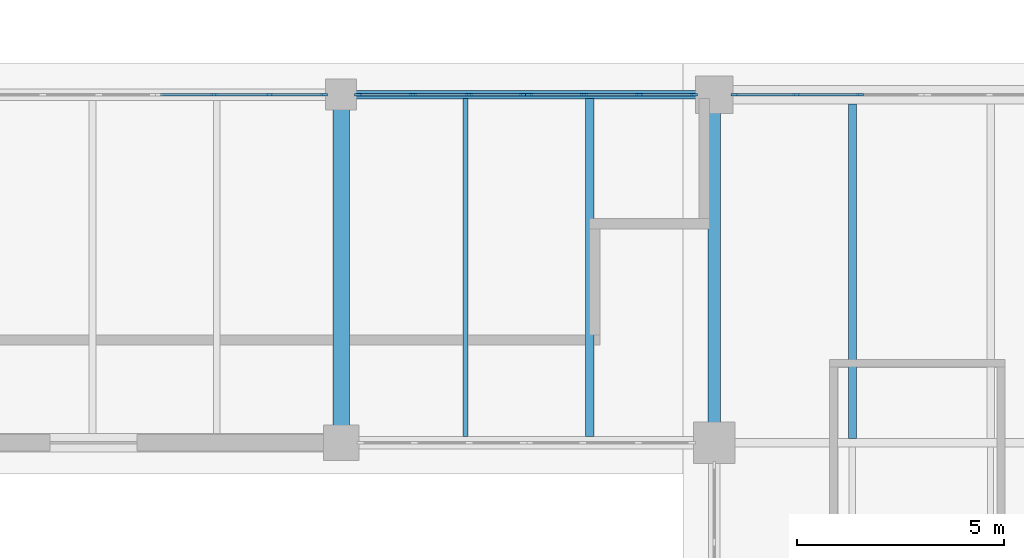
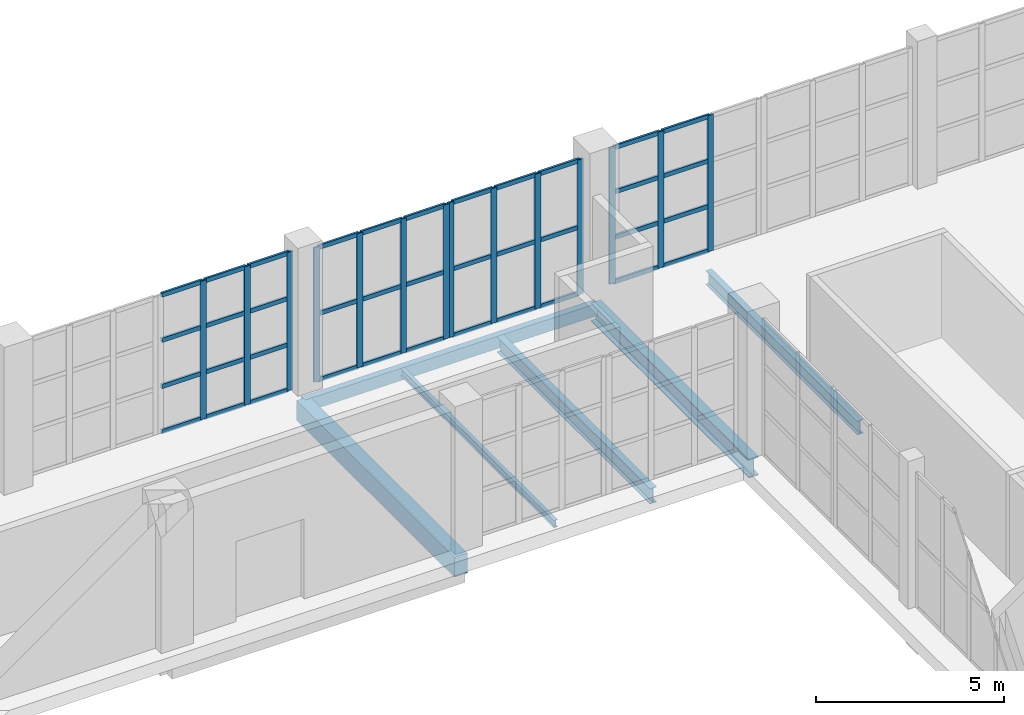
# One storey, part 57 of 121: 52 members, 6 beams, 4 elements without a shape of their own.
"""IFC4 building model written with IfcOpenShell, lengths in metres."""

from ifc_helpers import new_model, si_unit, direction, frame, origin, origin_2d, place, context, subcontext, project, spatial, rectangle, hollow_rectangle, i_section, extrude, material, layer, layer_set, material_profile, profile_set, type_object, element, aggregate, save


model = new_model("IFC4")

# Units and contexts
model_context = context("Model", 3, precision=1e-05, world=origin(), true_north=direction((0.0, 1.0)))
body_context = subcontext(model_context, "Body", "Model", "MODEL_VIEW")
ifc_project = project(units=[si_unit("LENGTHUNIT", "METRE"), si_unit("AREAUNIT", "SQUARE_METRE"), si_unit("VOLUMEUNIT", "CUBIC_METRE"), si_unit("PLANEANGLEUNIT", "RADIAN"), si_unit("MASSUNIT", "GRAM", prefix="KILO")], contexts=[model_context])

# Site, building, storey
site_placement = place(None, origin())
site = spatial("IfcSite", under=ifc_project, at=site_placement, CompositionType="ELEMENT")
building_placement = place(site_placement, origin())
building = spatial("IfcBuilding", under=site, at=building_placement, Name="Zereglee Splitstone Museum", CompositionType="ELEMENT")
storey_placement = place(building_placement, origin())
storey = spatial("IfcBuildingStorey", under=building, at=storey_placement, Name="L00", CompositionType="ELEMENT", Elevation=0.0)

# Beam
ifc_material_1 = material(Name="Concrete C40/50", Category="concrete")
ifc_material_profile_1 = material_profile(ifc_material_1, rectangle(XDim=0.39990234375, YDim=0.64990234375, at=origin_2d()), Name="RC 400x650")
ifc_profile_set_1 = profile_set([ifc_material_profile_1], Name="Concrete C40/50")
beam_type_1 = type_object("IfcBeamType", Name="BG-04", PredefinedType="BEAM", material=ifc_profile_set_1)
beam_1_placement = place(storey_placement, frame((247.0, 30.0, -0.7451171875), z_axis=(0.0, 1.0, 0.0), x_axis=(-1.0, 0.0, 0.0)))
element("IfcBeam", 1, at=beam_1_placement, inside=storey, type_object=beam_type_1, Name="Primary Girder L00 28 (30.0-38.4)", PredefinedType="BEAM", context=body_context, shape_type="SweptSolid", body=[
    extrude(rectangle(XDim=0.39990234375, YDim=0.64990234375, at=origin_2d()), origin(), (0.0, 0.0, 1.0), 8.39990234375),
])

# Curtain wall, members
ifc_material_2 = material(Name="Triple-glazed low-E argon glass and bronze-anodised aluminium", Category="aluminium")
ifc_layer_1 = layer(ifc_material_2, 0.179931640625)
ifc_layer_set_1 = layer_set([ifc_layer_1], Name="Triple-glazed low-E argon glass and bronze-anodised aluminium")
curtain_wall_type_1 = type_object("IfcCurtainWallType", Name="CW-0458-442", PredefinedType="USERDEFINED", material=ifc_layer_set_1)
curtain_wall_1_placement = place(storey_placement, origin())
curtain_wall_1 = element("IfcCurtainWall", 2, at=curtain_wall_1_placement, inside=storey, type_object=curtain_wall_type_1, Name="Glazed Curtain Wall CW-0458-442 (L00)", ObjectType="GLAZED CURTAIN WALL", PredefinedType="USERDEFINED")
ifc_material_3 = material(Name="Thermally broken bronze-anodised aluminium", Category="aluminium")
ifc_material_profile_2 = material_profile(ifc_material_3, rectangle(XDim=0.06494140625, YDim=0.179931640625, at=origin_2d()), Name="CW MULL 65x180")
ifc_profile_set_2 = profile_set([ifc_material_profile_2], Name="Thermally broken bronze-anodised aluminium")
member_type_1 = type_object("IfcMemberType", Name="CWM-01", PredefinedType="MULLION", material=ifc_profile_set_2)
member_1_placement = place(storey_placement, frame((259.50927734375, 38.39990234375, 0.0), z_axis=(0.0, 0.0, 1.0), x_axis=(0.0, -1.0, 0.0)))
member_1 = element("IfcMember", 3, at=member_1_placement, type_object=member_type_1, Name="CW-0458-442 mullion 2", PredefinedType="MULLION", context=body_context, shape_type="SweptSolid", body=[
    extrude(rectangle(XDim=0.06494140625, YDim=0.179931640625, at=origin_2d()), origin(), (0.0, 0.0, 1.0), 4.419921875),
])
member_2_placement = place(storey_placement, frame((257.983642578125, 38.39990234375, 0.0), z_axis=(0.0, 0.0, 1.0), x_axis=(0.0, -1.0, 0.0)))
member_2 = element("IfcMember", 4, at=member_2_placement, type_object=member_type_1, Name="CW-0458-442 mullion 3", PredefinedType="MULLION", context=body_context, shape_type="SweptSolid", body=[
    extrude(rectangle(XDim=0.06494140625, YDim=0.179931640625, at=origin_2d()), origin(), (0.0, 0.0, 1.0), 4.419921875),
])
member_3_placement = place(storey_placement, frame((256.490478515625, 38.39990234375, 0.0), z_axis=(0.0, 0.0, 1.0), x_axis=(0.0, -1.0, 0.0)))
member_3 = element("IfcMember", 5, at=member_3_placement, type_object=member_type_1, Name="CW-0458-442 mullion 4", PredefinedType="MULLION", context=body_context, shape_type="SweptSolid", body=[
    extrude(rectangle(XDim=0.06494140625, YDim=0.179931640625, at=origin_2d()), origin(), (0.0, 0.0, 1.0), 4.419921875),
])

ifc_layer_2 = layer(ifc_material_2, 0.179931640625)
ifc_layer_set_2 = layer_set([ifc_layer_2], Name="Triple-glazed low-E argon glass and bronze-anodised aluminium")
curtain_wall_type_2 = type_object("IfcCurtainWallType", Name="CW-0404-438", PredefinedType="USERDEFINED", material=ifc_layer_set_2)
curtain_wall_2_placement = place(storey_placement, origin())
curtain_wall_2 = element("IfcCurtainWall", 6, at=curtain_wall_2_placement, inside=storey, type_object=curtain_wall_type_2, Name="Glazed Curtain Wall CW-0404-438 (L00)", ObjectType="GLAZED CURTAIN WALL", PredefinedType="USERDEFINED")
member_4_placement = place(storey_placement, frame((255.509521484375, 38.39990234375, 0.0), z_axis=(0.0, 0.0, 1.0), x_axis=(0.0, -1.0, 0.0)))
member_4 = element("IfcMember", 7, at=member_4_placement, type_object=member_type_1, Name="CW-0404-438 mullion 1", PredefinedType="MULLION", context=body_context, shape_type="SweptSolid", body=[
    extrude(rectangle(XDim=0.06494140625, YDim=0.179931640625, at=origin_2d()), origin(), (0.0, 0.0, 1.0), 4.3798828125),
])
member_5_placement = place(storey_placement, frame((254.195556640625, 38.39990234375, 0.0), z_axis=(0.0, 0.0, 1.0), x_axis=(0.0, -1.0, 0.0)))
member_5 = element("IfcMember", 8, at=member_5_placement, type_object=member_type_1, Name="CW-0404-438 mullion 2", PredefinedType="MULLION", context=body_context, shape_type="SweptSolid", body=[
    extrude(rectangle(XDim=0.06494140625, YDim=0.179931640625, at=origin_2d()), origin(), (0.0, 0.0, 1.0), 4.3798828125),
])
member_6_placement = place(storey_placement, frame((252.84912109375, 38.39990234375, 0.0), z_axis=(0.0, 0.0, 1.0), x_axis=(0.0, -1.0, 0.0)))
member_6 = element("IfcMember", 9, at=member_6_placement, type_object=member_type_1, Name="CW-0404-438 mullion 3", PredefinedType="MULLION", context=body_context, shape_type="SweptSolid", body=[
    extrude(rectangle(XDim=0.06494140625, YDim=0.179931640625, at=origin_2d()), origin(), (0.0, 0.0, 1.0), 4.3798828125),
])
member_7_placement = place(storey_placement, frame((251.534912109375, 38.39990234375, 0.0), z_axis=(0.0, 0.0, 1.0), x_axis=(0.0, -1.0, 0.0)))
member_7 = element("IfcMember", 10, at=member_7_placement, type_object=member_type_1, Name="CW-0404-438 mullion 4", PredefinedType="MULLION", context=body_context, shape_type="SweptSolid", body=[
    extrude(rectangle(XDim=0.06494140625, YDim=0.179931640625, at=origin_2d()), origin(), (0.0, 0.0, 1.0), 4.3798828125),
])

ifc_layer_3 = layer(ifc_material_2, 0.179931640625)
ifc_layer_set_3 = layer_set([ifc_layer_3], Name="Triple-glazed low-E argon glass and bronze-anodised aluminium")
curtain_wall_type_3 = type_object("IfcCurtainWallType", Name="CW-0404-436", PredefinedType="USERDEFINED", material=ifc_layer_set_3)
curtain_wall_3_placement = place(storey_placement, origin())
curtain_wall_3 = element("IfcCurtainWall", 11, at=curtain_wall_3_placement, inside=storey, type_object=curtain_wall_type_3, Name="Glazed Curtain Wall CW-0404-436 (L00)", ObjectType="GLAZED CURTAIN WALL", PredefinedType="USERDEFINED")
member_8_placement = place(storey_placement, frame((251.389892578125, 38.39990234375, 0.0), z_axis=(0.0, 0.0, 1.0), x_axis=(0.0, -1.0, 0.0)))
member_8 = element("IfcMember", 12, at=member_8_placement, type_object=member_type_1, Name="CW-0404-436 mullion 1", PredefinedType="MULLION", context=body_context, shape_type="SweptSolid", body=[
    extrude(rectangle(XDim=0.06494140625, YDim=0.179931640625, at=origin_2d()), origin(), (0.0, 0.0, 1.0), 4.360107421875),
])
member_9_placement = place(storey_placement, frame((250.075927734375, 38.39990234375, 0.0), z_axis=(0.0, 0.0, 1.0), x_axis=(0.0, -1.0, 0.0)))
member_9 = element("IfcMember", 13, at=member_9_placement, type_object=member_type_1, Name="CW-0404-436 mullion 2", PredefinedType="MULLION", context=body_context, shape_type="SweptSolid", body=[
    extrude(rectangle(XDim=0.06494140625, YDim=0.179931640625, at=origin_2d()), origin(), (0.0, 0.0, 1.0), 4.360107421875),
])
member_10_placement = place(storey_placement, frame((248.7294921875, 38.39990234375, 0.0), z_axis=(0.0, 0.0, 1.0), x_axis=(0.0, -1.0, 0.0)))
member_10 = element("IfcMember", 14, at=member_10_placement, type_object=member_type_1, Name="CW-0404-436 mullion 3", PredefinedType="MULLION", context=body_context, shape_type="SweptSolid", body=[
    extrude(rectangle(XDim=0.06494140625, YDim=0.179931640625, at=origin_2d()), origin(), (0.0, 0.0, 1.0), 4.360107421875),
])
member_11_placement = place(storey_placement, frame((247.41552734375, 38.39990234375, 0.0), z_axis=(0.0, 0.0, 1.0), x_axis=(0.0, -1.0, 0.0)))
member_11 = element("IfcMember", 15, at=member_11_placement, type_object=member_type_1, Name="CW-0404-436 mullion 4", PredefinedType="MULLION", context=body_context, shape_type="SweptSolid", body=[
    extrude(rectangle(XDim=0.06494140625, YDim=0.179931640625, at=origin_2d()), origin(), (0.0, 0.0, 1.0), 4.360107421875),
])

ifc_layer_4 = layer(ifc_material_2, 0.179931640625)
ifc_layer_set_4 = layer_set([ifc_layer_4], Name="Triple-glazed low-E argon glass and bronze-anodised aluminium")
curtain_wall_type_4 = type_object("IfcCurtainWallType", Name="CW-0404-450", PredefinedType="USERDEFINED", material=ifc_layer_set_4)
curtain_wall_4_placement = place(storey_placement, origin())
curtain_wall_4 = element("IfcCurtainWall", 16, at=curtain_wall_4_placement, inside=storey, type_object=curtain_wall_type_4, Name="Glazed Curtain Wall CW-0404-450 (L00)", ObjectType="GLAZED CURTAIN WALL", PredefinedType="USERDEFINED")
member_12_placement = place(storey_placement, frame((246.58447265625, 38.39990234375, 0.0), z_axis=(0.0, 0.0, 1.0), x_axis=(0.0, -1.0, 0.0)))
member_12 = element("IfcMember", 17, at=member_12_placement, type_object=member_type_1, Name="CW-0404-450 mullion 1", PredefinedType="MULLION", context=body_context, shape_type="SweptSolid", body=[
    extrude(rectangle(XDim=0.06494140625, YDim=0.179931640625, at=origin_2d()), origin(), (0.0, 0.0, 1.0), 4.5),
])
member_13_placement = place(storey_placement, frame((245.2705078125, 38.39990234375, 0.0), z_axis=(0.0, 0.0, 1.0), x_axis=(0.0, -1.0, 0.0)))
member_13 = element("IfcMember", 18, at=member_13_placement, type_object=member_type_1, Name="CW-0404-450 mullion 2", PredefinedType="MULLION", context=body_context, shape_type="SweptSolid", body=[
    extrude(rectangle(XDim=0.06494140625, YDim=0.179931640625, at=origin_2d()), origin(), (0.0, 0.0, 1.0), 4.5),
])
member_14_placement = place(storey_placement, frame((243.924072265625, 38.39990234375, 0.0), z_axis=(0.0, 0.0, 1.0), x_axis=(0.0, -1.0, 0.0)))
member_14 = element("IfcMember", 19, at=member_14_placement, type_object=member_type_1, Name="CW-0404-450 mullion 3", PredefinedType="MULLION", context=body_context, shape_type="SweptSolid", body=[
    extrude(rectangle(XDim=0.06494140625, YDim=0.179931640625, at=origin_2d()), origin(), (0.0, 0.0, 1.0), 4.5),
])

# Member
ifc_material_profile_3 = material_profile(ifc_material_3, rectangle(XDim=0.06494140625, YDim=0.139892578125, at=origin_2d()), Name="CW TRAN 65x140")
ifc_profile_set_3 = profile_set([ifc_material_profile_3], Name="Thermally broken bronze-anodised aluminium")
member_type_2 = type_object("IfcMemberType", Name="CWT-01", PredefinedType="USERDEFINED", material=ifc_profile_set_3)
member_15_placement = place(storey_placement, frame((259.476806640625, 38.39990234375, 0.032470703125), z_axis=(-1.0, 0.0, 0.0), x_axis=(0.0, -1.0, 0.0)))
member_15 = element("IfcMember", 20, at=member_15_placement, type_object=member_type_2, Name="CW-0458-442 transom 2.1", ObjectType="TRANSOM", PredefinedType="USERDEFINED", context=body_context, shape_type="SweptSolid", body=[
    extrude(rectangle(XDim=0.06494140625, YDim=0.139892578125, at=origin_2d()), origin(), (0.0, 0.0, 1.0), 1.460693359375),
])

member_16_placement = place(storey_placement, frame((259.476806640625, 38.39990234375, 1.473388671875), z_axis=(-1.0, 0.0, 0.0), x_axis=(0.0, -1.0, 0.0)))
member_16 = element("IfcMember", 21, at=member_16_placement, type_object=member_type_2, Name="CW-0458-442 transom 2.2", ObjectType="TRANSOM", PredefinedType="USERDEFINED", context=body_context, shape_type="SweptSolid", body=[
    extrude(rectangle(XDim=0.06494140625, YDim=0.139892578125, at=origin_2d()), origin(), (0.0, 0.0, 1.0), 1.460693359375),
])

member_17_placement = place(storey_placement, frame((259.476806640625, 38.39990234375, 2.94677734375), z_axis=(-1.0, 0.0, 0.0), x_axis=(0.0, -1.0, 0.0)))
member_17 = element("IfcMember", 22, at=member_17_placement, type_object=member_type_2, Name="CW-0458-442 transom 2.3", ObjectType="TRANSOM", PredefinedType="USERDEFINED", context=body_context, shape_type="SweptSolid", body=[
    extrude(rectangle(XDim=0.06494140625, YDim=0.139892578125, at=origin_2d()), origin(), (0.0, 0.0, 1.0), 1.460693359375),
])

member_18_placement = place(storey_placement, frame((259.476806640625, 38.39990234375, 4.387451171875), z_axis=(-1.0, 0.0, 0.0), x_axis=(0.0, -1.0, 0.0)))
member_18 = element("IfcMember", 23, at=member_18_placement, type_object=member_type_2, Name="CW-0458-442 transom 2.4", ObjectType="TRANSOM", PredefinedType="USERDEFINED", context=body_context, shape_type="SweptSolid", body=[
    extrude(rectangle(XDim=0.06494140625, YDim=0.139892578125, at=origin_2d()), origin(), (0.0, 0.0, 1.0), 1.460693359375),
])

member_19_placement = place(storey_placement, frame((257.951171875, 38.39990234375, 0.032470703125), z_axis=(-1.0, 0.0, 0.0), x_axis=(0.0, -1.0, 0.0)))
member_19 = element("IfcMember", 24, at=member_19_placement, type_object=member_type_2, Name="CW-0458-442 transom 3.1", ObjectType="TRANSOM", PredefinedType="USERDEFINED", context=body_context, shape_type="SweptSolid", body=[
    extrude(rectangle(XDim=0.06494140625, YDim=0.139892578125, at=origin_2d()), origin(), (0.0, 0.0, 1.0), 1.42822265625),
])

member_20_placement = place(storey_placement, frame((257.951171875, 38.39990234375, 1.473388671875), z_axis=(-1.0, 0.0, 0.0), x_axis=(0.0, -1.0, 0.0)))
member_20 = element("IfcMember", 25, at=member_20_placement, type_object=member_type_2, Name="CW-0458-442 transom 3.2", ObjectType="TRANSOM", PredefinedType="USERDEFINED", context=body_context, shape_type="SweptSolid", body=[
    extrude(rectangle(XDim=0.06494140625, YDim=0.139892578125, at=origin_2d()), origin(), (0.0, 0.0, 1.0), 1.42822265625),
])

member_21_placement = place(storey_placement, frame((257.951171875, 38.39990234375, 2.94677734375), z_axis=(-1.0, 0.0, 0.0), x_axis=(0.0, -1.0, 0.0)))
member_21 = element("IfcMember", 26, at=member_21_placement, type_object=member_type_2, Name="CW-0458-442 transom 3.3", ObjectType="TRANSOM", PredefinedType="USERDEFINED", context=body_context, shape_type="SweptSolid", body=[
    extrude(rectangle(XDim=0.06494140625, YDim=0.139892578125, at=origin_2d()), origin(), (0.0, 0.0, 1.0), 1.42822265625),
])

member_22_placement = place(storey_placement, frame((257.951171875, 38.39990234375, 4.387451171875), z_axis=(-1.0, 0.0, 0.0), x_axis=(0.0, -1.0, 0.0)))
member_22 = element("IfcMember", 27, at=member_22_placement, type_object=member_type_2, Name="CW-0458-442 transom 3.4", ObjectType="TRANSOM", PredefinedType="USERDEFINED", context=body_context, shape_type="SweptSolid", body=[
    extrude(rectangle(XDim=0.06494140625, YDim=0.139892578125, at=origin_2d()), origin(), (0.0, 0.0, 1.0), 1.42822265625),
])

aggregate(curtain_wall_1, [member_1, member_2, member_3, member_15, member_16, member_17, member_18, member_19, member_20, member_21, member_22])

member_23_placement = place(storey_placement, frame((255.47705078125, 38.39990234375, 0.032470703125), z_axis=(-1.0, 0.0, 0.0), x_axis=(0.0, -1.0, 0.0)))
member_23 = element("IfcMember", 28, at=member_23_placement, type_object=member_type_2, Name="CW-0404-438 transom 1.1", ObjectType="TRANSOM", PredefinedType="USERDEFINED", context=body_context, shape_type="SweptSolid", body=[
    extrude(rectangle(XDim=0.06494140625, YDim=0.139892578125, at=origin_2d()), origin(), (0.0, 0.0, 1.0), 1.2490234375),
])

member_24_placement = place(storey_placement, frame((255.47705078125, 38.39990234375, 2.18994140625), z_axis=(-1.0, 0.0, 0.0), x_axis=(0.0, -1.0, 0.0)))
member_24 = element("IfcMember", 29, at=member_24_placement, type_object=member_type_2, Name="CW-0404-438 transom 1.2", ObjectType="TRANSOM", PredefinedType="USERDEFINED", context=body_context, shape_type="SweptSolid", body=[
    extrude(rectangle(XDim=0.06494140625, YDim=0.139892578125, at=origin_2d()), origin(), (0.0, 0.0, 1.0), 1.2490234375),
])

member_25_placement = place(storey_placement, frame((255.47705078125, 38.39990234375, 4.347412109375), z_axis=(-1.0, 0.0, 0.0), x_axis=(0.0, -1.0, 0.0)))
member_25 = element("IfcMember", 30, at=member_25_placement, type_object=member_type_2, Name="CW-0404-438 transom 1.3", ObjectType="TRANSOM", PredefinedType="USERDEFINED", context=body_context, shape_type="SweptSolid", body=[
    extrude(rectangle(XDim=0.06494140625, YDim=0.139892578125, at=origin_2d()), origin(), (0.0, 0.0, 1.0), 1.2490234375),
])

member_26_placement = place(storey_placement, frame((254.1630859375, 38.39990234375, 0.032470703125), z_axis=(-1.0, 0.0, 0.0), x_axis=(0.0, -1.0, 0.0)))
member_26 = element("IfcMember", 31, at=member_26_placement, type_object=member_type_2, Name="CW-0404-438 transom 2.1", ObjectType="TRANSOM", PredefinedType="USERDEFINED", context=body_context, shape_type="SweptSolid", body=[
    extrude(rectangle(XDim=0.06494140625, YDim=0.139892578125, at=origin_2d()), origin(), (0.0, 0.0, 1.0), 1.281494140625),
])

member_27_placement = place(storey_placement, frame((254.1630859375, 38.39990234375, 2.18994140625), z_axis=(-1.0, 0.0, 0.0), x_axis=(0.0, -1.0, 0.0)))
member_27 = element("IfcMember", 32, at=member_27_placement, type_object=member_type_2, Name="CW-0404-438 transom 2.2", ObjectType="TRANSOM", PredefinedType="USERDEFINED", context=body_context, shape_type="SweptSolid", body=[
    extrude(rectangle(XDim=0.06494140625, YDim=0.139892578125, at=origin_2d()), origin(), (0.0, 0.0, 1.0), 1.281494140625),
])

member_28_placement = place(storey_placement, frame((254.1630859375, 38.39990234375, 4.347412109375), z_axis=(-1.0, 0.0, 0.0), x_axis=(0.0, -1.0, 0.0)))
member_28 = element("IfcMember", 33, at=member_28_placement, type_object=member_type_2, Name="CW-0404-438 transom 2.3", ObjectType="TRANSOM", PredefinedType="USERDEFINED", context=body_context, shape_type="SweptSolid", body=[
    extrude(rectangle(XDim=0.06494140625, YDim=0.139892578125, at=origin_2d()), origin(), (0.0, 0.0, 1.0), 1.281494140625),
])

member_29_placement = place(storey_placement, frame((252.81640625, 38.39990234375, 0.032470703125), z_axis=(-1.0, 0.0, 0.0), x_axis=(0.0, -1.0, 0.0)))
member_29 = element("IfcMember", 34, at=member_29_placement, type_object=member_type_2, Name="CW-0404-438 transom 3.1", ObjectType="TRANSOM", PredefinedType="USERDEFINED", context=body_context, shape_type="SweptSolid", body=[
    extrude(rectangle(XDim=0.06494140625, YDim=0.139892578125, at=origin_2d()), origin(), (0.0, 0.0, 1.0), 1.2490234375),
])

member_30_placement = place(storey_placement, frame((252.81640625, 38.39990234375, 2.18994140625), z_axis=(-1.0, 0.0, 0.0), x_axis=(0.0, -1.0, 0.0)))
member_30 = element("IfcMember", 35, at=member_30_placement, type_object=member_type_2, Name="CW-0404-438 transom 3.2", ObjectType="TRANSOM", PredefinedType="USERDEFINED", context=body_context, shape_type="SweptSolid", body=[
    extrude(rectangle(XDim=0.06494140625, YDim=0.139892578125, at=origin_2d()), origin(), (0.0, 0.0, 1.0), 1.2490234375),
])

member_31_placement = place(storey_placement, frame((252.81640625, 38.39990234375, 4.347412109375), z_axis=(-1.0, 0.0, 0.0), x_axis=(0.0, -1.0, 0.0)))
member_31 = element("IfcMember", 36, at=member_31_placement, type_object=member_type_2, Name="CW-0404-438 transom 3.3", ObjectType="TRANSOM", PredefinedType="USERDEFINED", context=body_context, shape_type="SweptSolid", body=[
    extrude(rectangle(XDim=0.06494140625, YDim=0.139892578125, at=origin_2d()), origin(), (0.0, 0.0, 1.0), 1.2490234375),
])

aggregate(curtain_wall_2, [member_4, member_5, member_6, member_7, member_23, member_24, member_25, member_26, member_27, member_28, member_29, member_30, member_31])

member_32_placement = place(storey_placement, frame((251.357421875, 38.39990234375, 0.032470703125), z_axis=(-1.0, 0.0, 0.0), x_axis=(0.0, -1.0, 0.0)))
member_32 = element("IfcMember", 37, at=member_32_placement, type_object=member_type_2, Name="CW-0404-436 transom 1.1", ObjectType="TRANSOM", PredefinedType="USERDEFINED", context=body_context, shape_type="SweptSolid", body=[
    extrude(rectangle(XDim=0.06494140625, YDim=0.139892578125, at=origin_2d()), origin(), (0.0, 0.0, 1.0), 1.2490234375),
])

member_33_placement = place(storey_placement, frame((251.357421875, 38.39990234375, 2.179931640625), z_axis=(-1.0, 0.0, 0.0), x_axis=(0.0, -1.0, 0.0)))
member_33 = element("IfcMember", 38, at=member_33_placement, type_object=member_type_2, Name="CW-0404-436 transom 1.2", ObjectType="TRANSOM", PredefinedType="USERDEFINED", context=body_context, shape_type="SweptSolid", body=[
    extrude(rectangle(XDim=0.06494140625, YDim=0.139892578125, at=origin_2d()), origin(), (0.0, 0.0, 1.0), 1.2490234375),
])

member_34_placement = place(storey_placement, frame((251.357421875, 38.39990234375, 4.327392578125), z_axis=(-1.0, 0.0, 0.0), x_axis=(0.0, -1.0, 0.0)))
member_34 = element("IfcMember", 39, at=member_34_placement, type_object=member_type_2, Name="CW-0404-436 transom 1.3", ObjectType="TRANSOM", PredefinedType="USERDEFINED", context=body_context, shape_type="SweptSolid", body=[
    extrude(rectangle(XDim=0.06494140625, YDim=0.139892578125, at=origin_2d()), origin(), (0.0, 0.0, 1.0), 1.2490234375),
])

member_35_placement = place(storey_placement, frame((250.04345703125, 38.39990234375, 0.032470703125), z_axis=(-1.0, 0.0, 0.0), x_axis=(0.0, -1.0, 0.0)))
member_35 = element("IfcMember", 40, at=member_35_placement, type_object=member_type_2, Name="CW-0404-436 transom 2.1", ObjectType="TRANSOM", PredefinedType="USERDEFINED", context=body_context, shape_type="SweptSolid", body=[
    extrude(rectangle(XDim=0.06494140625, YDim=0.139892578125, at=origin_2d()), origin(), (0.0, 0.0, 1.0), 1.281494140625),
])

member_36_placement = place(storey_placement, frame((250.04345703125, 38.39990234375, 2.179931640625), z_axis=(-1.0, 0.0, 0.0), x_axis=(0.0, -1.0, 0.0)))
member_36 = element("IfcMember", 41, at=member_36_placement, type_object=member_type_2, Name="CW-0404-436 transom 2.2", ObjectType="TRANSOM", PredefinedType="USERDEFINED", context=body_context, shape_type="SweptSolid", body=[
    extrude(rectangle(XDim=0.06494140625, YDim=0.139892578125, at=origin_2d()), origin(), (0.0, 0.0, 1.0), 1.281494140625),
])

member_37_placement = place(storey_placement, frame((250.04345703125, 38.39990234375, 4.327392578125), z_axis=(-1.0, 0.0, 0.0), x_axis=(0.0, -1.0, 0.0)))
member_37 = element("IfcMember", 42, at=member_37_placement, type_object=member_type_2, Name="CW-0404-436 transom 2.3", ObjectType="TRANSOM", PredefinedType="USERDEFINED", context=body_context, shape_type="SweptSolid", body=[
    extrude(rectangle(XDim=0.06494140625, YDim=0.139892578125, at=origin_2d()), origin(), (0.0, 0.0, 1.0), 1.281494140625),
])

member_38_placement = place(storey_placement, frame((248.697021484375, 38.39990234375, 0.032470703125), z_axis=(-1.0, 0.0, 0.0), x_axis=(0.0, -1.0, 0.0)))
member_38 = element("IfcMember", 43, at=member_38_placement, type_object=member_type_2, Name="CW-0404-436 transom 3.1", ObjectType="TRANSOM", PredefinedType="USERDEFINED", context=body_context, shape_type="SweptSolid", body=[
    extrude(rectangle(XDim=0.06494140625, YDim=0.139892578125, at=origin_2d()), origin(), (0.0, 0.0, 1.0), 1.2490234375),
])

member_39_placement = place(storey_placement, frame((248.697021484375, 38.39990234375, 2.179931640625), z_axis=(-1.0, 0.0, 0.0), x_axis=(0.0, -1.0, 0.0)))
member_39 = element("IfcMember", 44, at=member_39_placement, type_object=member_type_2, Name="CW-0404-436 transom 3.2", ObjectType="TRANSOM", PredefinedType="USERDEFINED", context=body_context, shape_type="SweptSolid", body=[
    extrude(rectangle(XDim=0.06494140625, YDim=0.139892578125, at=origin_2d()), origin(), (0.0, 0.0, 1.0), 1.2490234375),
])

member_40_placement = place(storey_placement, frame((248.697021484375, 38.39990234375, 4.327392578125), z_axis=(-1.0, 0.0, 0.0), x_axis=(0.0, -1.0, 0.0)))
member_40 = element("IfcMember", 45, at=member_40_placement, type_object=member_type_2, Name="CW-0404-436 transom 3.3", ObjectType="TRANSOM", PredefinedType="USERDEFINED", context=body_context, shape_type="SweptSolid", body=[
    extrude(rectangle(XDim=0.06494140625, YDim=0.139892578125, at=origin_2d()), origin(), (0.0, 0.0, 1.0), 1.2490234375),
])

aggregate(curtain_wall_3, [member_8, member_9, member_10, member_11, member_32, member_33, member_34, member_35, member_36, member_37, member_38, member_39, member_40])

member_41_placement = place(storey_placement, frame((246.552001953125, 38.39990234375, 0.032470703125), z_axis=(-1.0, 0.0, 0.0), x_axis=(0.0, -1.0, 0.0)))
member_41 = element("IfcMember", 46, at=member_41_placement, type_object=member_type_2, Name="CW-0404-450 transom 1.1", ObjectType="TRANSOM", PredefinedType="USERDEFINED", context=body_context, shape_type="SweptSolid", body=[
    extrude(rectangle(XDim=0.06494140625, YDim=0.139892578125, at=origin_2d()), origin(), (0.0, 0.0, 1.0), 1.2490234375),
])

member_42_placement = place(storey_placement, frame((246.552001953125, 38.39990234375, 1.5), z_axis=(-1.0, 0.0, 0.0), x_axis=(0.0, -1.0, 0.0)))
member_42 = element("IfcMember", 47, at=member_42_placement, type_object=member_type_2, Name="CW-0404-450 transom 1.2", ObjectType="TRANSOM", PredefinedType="USERDEFINED", context=body_context, shape_type="SweptSolid", body=[
    extrude(rectangle(XDim=0.06494140625, YDim=0.139892578125, at=origin_2d()), origin(), (0.0, 0.0, 1.0), 1.2490234375),
])

member_43_placement = place(storey_placement, frame((246.552001953125, 38.39990234375, 3.0), z_axis=(-1.0, 0.0, 0.0), x_axis=(0.0, -1.0, 0.0)))
member_43 = element("IfcMember", 48, at=member_43_placement, type_object=member_type_2, Name="CW-0404-450 transom 1.3", ObjectType="TRANSOM", PredefinedType="USERDEFINED", context=body_context, shape_type="SweptSolid", body=[
    extrude(rectangle(XDim=0.06494140625, YDim=0.139892578125, at=origin_2d()), origin(), (0.0, 0.0, 1.0), 1.2490234375),
])

member_44_placement = place(storey_placement, frame((246.552001953125, 38.39990234375, 4.467529296875), z_axis=(-1.0, 0.0, 0.0), x_axis=(0.0, -1.0, 0.0)))
member_44 = element("IfcMember", 49, at=member_44_placement, type_object=member_type_2, Name="CW-0404-450 transom 1.4", ObjectType="TRANSOM", PredefinedType="USERDEFINED", context=body_context, shape_type="SweptSolid", body=[
    extrude(rectangle(XDim=0.06494140625, YDim=0.139892578125, at=origin_2d()), origin(), (0.0, 0.0, 1.0), 1.2490234375),
])

member_45_placement = place(storey_placement, frame((245.238037109375, 38.39990234375, 0.032470703125), z_axis=(-1.0, 0.0, 0.0), x_axis=(0.0, -1.0, 0.0)))
member_45 = element("IfcMember", 50, at=member_45_placement, type_object=member_type_2, Name="CW-0404-450 transom 2.1", ObjectType="TRANSOM", PredefinedType="USERDEFINED", context=body_context, shape_type="SweptSolid", body=[
    extrude(rectangle(XDim=0.06494140625, YDim=0.139892578125, at=origin_2d()), origin(), (0.0, 0.0, 1.0), 1.281494140625),
])

member_46_placement = place(storey_placement, frame((245.238037109375, 38.39990234375, 1.5), z_axis=(-1.0, 0.0, 0.0), x_axis=(0.0, -1.0, 0.0)))
member_46 = element("IfcMember", 51, at=member_46_placement, type_object=member_type_2, Name="CW-0404-450 transom 2.2", ObjectType="TRANSOM", PredefinedType="USERDEFINED", context=body_context, shape_type="SweptSolid", body=[
    extrude(rectangle(XDim=0.06494140625, YDim=0.139892578125, at=origin_2d()), origin(), (0.0, 0.0, 1.0), 1.281494140625),
])

member_47_placement = place(storey_placement, frame((245.238037109375, 38.39990234375, 3.0), z_axis=(-1.0, 0.0, 0.0), x_axis=(0.0, -1.0, 0.0)))
member_47 = element("IfcMember", 52, at=member_47_placement, type_object=member_type_2, Name="CW-0404-450 transom 2.3", ObjectType="TRANSOM", PredefinedType="USERDEFINED", context=body_context, shape_type="SweptSolid", body=[
    extrude(rectangle(XDim=0.06494140625, YDim=0.139892578125, at=origin_2d()), origin(), (0.0, 0.0, 1.0), 1.281494140625),
])

member_48_placement = place(storey_placement, frame((245.238037109375, 38.39990234375, 4.467529296875), z_axis=(-1.0, 0.0, 0.0), x_axis=(0.0, -1.0, 0.0)))
member_48 = element("IfcMember", 53, at=member_48_placement, type_object=member_type_2, Name="CW-0404-450 transom 2.4", ObjectType="TRANSOM", PredefinedType="USERDEFINED", context=body_context, shape_type="SweptSolid", body=[
    extrude(rectangle(XDim=0.06494140625, YDim=0.139892578125, at=origin_2d()), origin(), (0.0, 0.0, 1.0), 1.281494140625),
])

member_49_placement = place(storey_placement, frame((243.8916015625, 38.39990234375, 0.032470703125), z_axis=(-1.0, 0.0, 0.0), x_axis=(0.0, -1.0, 0.0)))
member_49 = element("IfcMember", 54, at=member_49_placement, type_object=member_type_2, Name="CW-0404-450 transom 3.1", ObjectType="TRANSOM", PredefinedType="USERDEFINED", context=body_context, shape_type="SweptSolid", body=[
    extrude(rectangle(XDim=0.06494140625, YDim=0.139892578125, at=origin_2d()), origin(), (0.0, 0.0, 1.0), 1.2490234375),
])

member_50_placement = place(storey_placement, frame((243.8916015625, 38.39990234375, 1.5), z_axis=(-1.0, 0.0, 0.0), x_axis=(0.0, -1.0, 0.0)))
member_50 = element("IfcMember", 55, at=member_50_placement, type_object=member_type_2, Name="CW-0404-450 transom 3.2", ObjectType="TRANSOM", PredefinedType="USERDEFINED", context=body_context, shape_type="SweptSolid", body=[
    extrude(rectangle(XDim=0.06494140625, YDim=0.139892578125, at=origin_2d()), origin(), (0.0, 0.0, 1.0), 1.2490234375),
])

member_51_placement = place(storey_placement, frame((243.8916015625, 38.39990234375, 3.0), z_axis=(-1.0, 0.0, 0.0), x_axis=(0.0, -1.0, 0.0)))
member_51 = element("IfcMember", 56, at=member_51_placement, type_object=member_type_2, Name="CW-0404-450 transom 3.3", ObjectType="TRANSOM", PredefinedType="USERDEFINED", context=body_context, shape_type="SweptSolid", body=[
    extrude(rectangle(XDim=0.06494140625, YDim=0.139892578125, at=origin_2d()), origin(), (0.0, 0.0, 1.0), 1.2490234375),
])

member_52_placement = place(storey_placement, frame((243.8916015625, 38.39990234375, 4.467529296875), z_axis=(-1.0, 0.0, 0.0), x_axis=(0.0, -1.0, 0.0)))
member_52 = element("IfcMember", 57, at=member_52_placement, type_object=member_type_2, Name="CW-0404-450 transom 3.4", ObjectType="TRANSOM", PredefinedType="USERDEFINED", context=body_context, shape_type="SweptSolid", body=[
    extrude(rectangle(XDim=0.06494140625, YDim=0.139892578125, at=origin_2d()), origin(), (0.0, 0.0, 1.0), 1.2490234375),
])

aggregate(curtain_wall_4, [member_12, member_13, member_14, member_41, member_42, member_43, member_44, member_45, member_46, member_47, member_48, member_49, member_50, member_51, member_52])

# Beams
ifc_material_4 = material(Name="Steel S355J2", Category="steel")
ifc_material_profile_4 = material_profile(ifc_material_4, i_section(OverallWidth=0.300048828125, OverallDepth=0.60009765625, WebThickness=0.015380859375, FlangeThickness=0.030029296875, FilletRadius=0.027099609375, at=origin_2d()), Name="HE 600 B")
ifc_profile_set_4 = profile_set([ifc_material_profile_4], Name="Steel S355J2")
beam_type_2 = type_object("IfcBeamType", Name="BG-10", PredefinedType="BEAM", material=ifc_profile_set_4)
beam_2_placement = place(storey_placement, frame((256.0, 30.0, -0.719970703125), z_axis=(0.0, 1.0, 0.0), x_axis=(-1.0, 0.0, 0.0)))
element("IfcBeam", 58, at=beam_2_placement, inside=storey, type_object=beam_type_2, Name="Primary Girder L00 29 (30.0-38.4)", PredefinedType="BEAM", context=body_context, shape_type="SweptSolid", body=[
    extrude(i_section(OverallWidth=0.300048828125, OverallDepth=0.60009765625, WebThickness=0.015380859375, FlangeThickness=0.030029296875, FilletRadius=0.027099609375, at=origin_2d()), origin(), (0.0, 0.0, 1.0), 8.39990234375),
])
ifc_material_profile_5 = material_profile(ifc_material_4, i_section(OverallWidth=0.1201171875, OverallDepth=0.239990234375, WebThickness=0.006103515625, FlangeThickness=0.009765625, FilletRadius=0.014892578125, at=origin_2d()), Name="IPE 240")
ifc_profile_set_5 = profile_set([ifc_material_profile_5], Name="Steel S355J2")
beam_type_3 = type_object("IfcBeamType", Name="BJ-07", PredefinedType="JOIST", material=ifc_profile_set_5)
beam_3_placement = place(storey_placement, frame((250.0, 30.14990234375, -0.5400390625), z_axis=(0.0, 1.0, 0.0), x_axis=(-1.0, 0.0, 0.0)))
element("IfcBeam", 59, at=beam_3_placement, inside=storey, type_object=beam_type_3, Name="Secondary Floor Joist L00-0377", PredefinedType="JOIST", context=body_context, shape_type="SweptSolid", body=[
    extrude(i_section(OverallWidth=0.1201171875, OverallDepth=0.239990234375, WebThickness=0.006103515625, FlangeThickness=0.009765625, FilletRadius=0.014892578125, at=origin_2d()), origin(), (0.0, 0.0, 1.0), 8.150146484375),
])
ifc_material_profile_6 = material_profile(ifc_material_4, i_section(OverallWidth=0.18994140625, OverallDepth=0.449951171875, WebThickness=0.009521484375, FlangeThickness=0.0146484375, FilletRadius=0.02099609375, at=origin_2d()), Name="IPE 450")
ifc_profile_set_6 = profile_set([ifc_material_profile_6], Name="Steel S355J2")
beam_type_4 = type_object("IfcBeamType", Name="BJ-02", PredefinedType="JOIST", material=ifc_profile_set_6)
beam_4_placement = place(storey_placement, frame((259.333251953125, 30.10498046875, -0.64501953125), z_axis=(0.0, 1.0, 0.0), x_axis=(-1.0, 0.0, 0.0)))
element("IfcBeam", 60, at=beam_4_placement, inside=storey, type_object=beam_type_4, Name="Secondary Floor Joist L00-0379", PredefinedType="JOIST", context=body_context, shape_type="SweptSolid", body=[
    extrude(i_section(OverallWidth=0.18994140625, OverallDepth=0.449951171875, WebThickness=0.009521484375, FlangeThickness=0.0146484375, FilletRadius=0.02099609375, at=origin_2d()), origin(), (0.0, 0.0, 1.0), 8.070068359375),
])
ifc_material_profile_7 = material_profile(ifc_material_4, i_section(OverallWidth=0.199951171875, OverallDepth=0.5, WebThickness=0.01025390625, FlangeThickness=0.01611328125, FilletRadius=0.02099609375, at=origin_2d()), Name="IPE 500")
ifc_profile_set_7 = profile_set([ifc_material_profile_7], Name="Steel S355J2")
beam_type_5 = type_object("IfcBeamType", Name="BJ-01", PredefinedType="JOIST", material=ifc_profile_set_7)
beam_5_placement = place(storey_placement, frame((253.0, 30.14990234375, -0.669921875), z_axis=(0.0, 1.0, 0.0), x_axis=(-1.0, 0.0, 0.0)))
element("IfcBeam", 61, at=beam_5_placement, inside=storey, type_object=beam_type_5, Name="Secondary Floor Joist L00-0378", PredefinedType="JOIST", context=body_context, shape_type="SweptSolid", body=[
    extrude(i_section(OverallWidth=0.199951171875, OverallDepth=0.5, WebThickness=0.01025390625, FlangeThickness=0.01611328125, FilletRadius=0.02099609375, at=origin_2d()), origin(), (0.0, 0.0, 1.0), 8.150146484375),
])
ifc_material_5 = material(Name="Steel S355J2H", Category="steel")
ifc_material_profile_8 = material_profile(ifc_material_5, hollow_rectangle(XDim=0.199951171875, YDim=0.39990234375, WallThickness=0.01611328125, at=origin_2d()), Name="RHS 400x200x16")
ifc_profile_set_8 = profile_set([ifc_material_profile_8], Name="Steel S355J2H")
beam_type_6 = type_object("IfcBeamType", Name="SP-04", PredefinedType="SPANDREL", material=ifc_profile_set_8)
beam_6_placement = place(storey_placement, frame((247.0, 38.39990234375, -0.6201171875), z_axis=(1.0, 0.0, 0.0), x_axis=(0.0, 1.0, 0.0)))
element("IfcBeam", 62, at=beam_6_placement, inside=storey, type_object=beam_type_6, Name="Primary Girder L00 E (247.0-256.0)", PredefinedType="SPANDREL", context=body_context, shape_type="SweptSolid", body=[
    extrude(hollow_rectangle(XDim=0.199951171875, YDim=0.39990234375, WallThickness=0.01611328125, at=origin_2d()), origin(), (0.0, 0.0, 1.0), 9.0),
])

save(model, "model.ifc")
